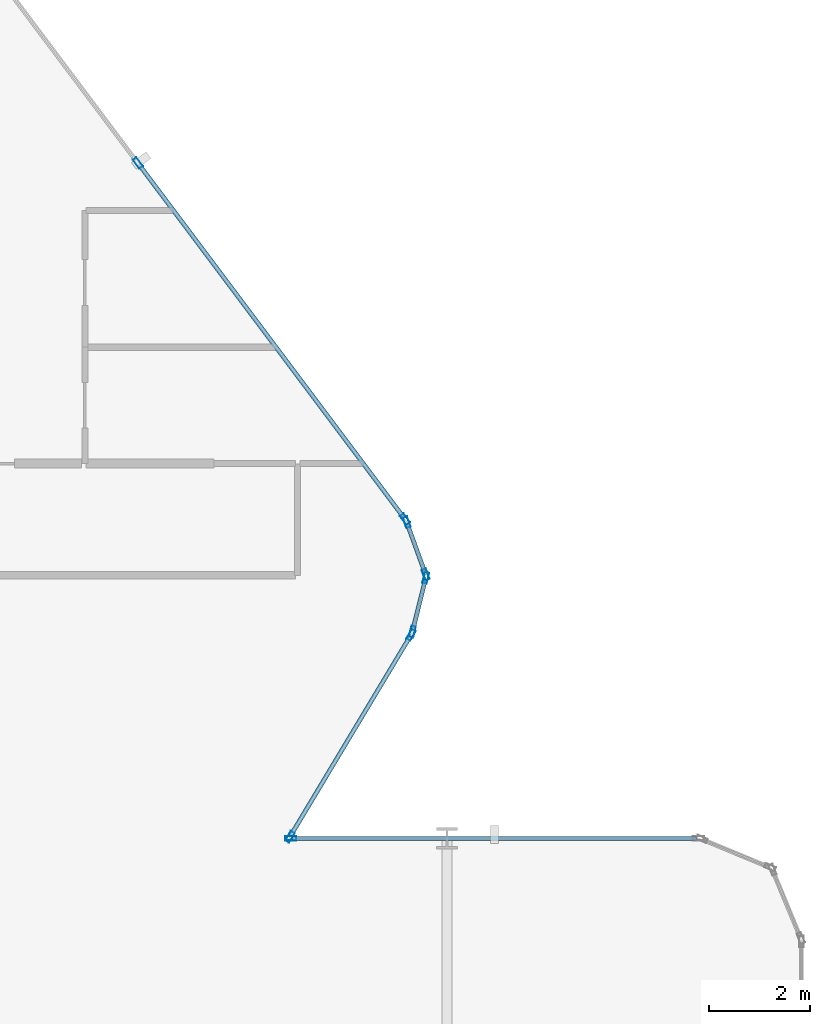
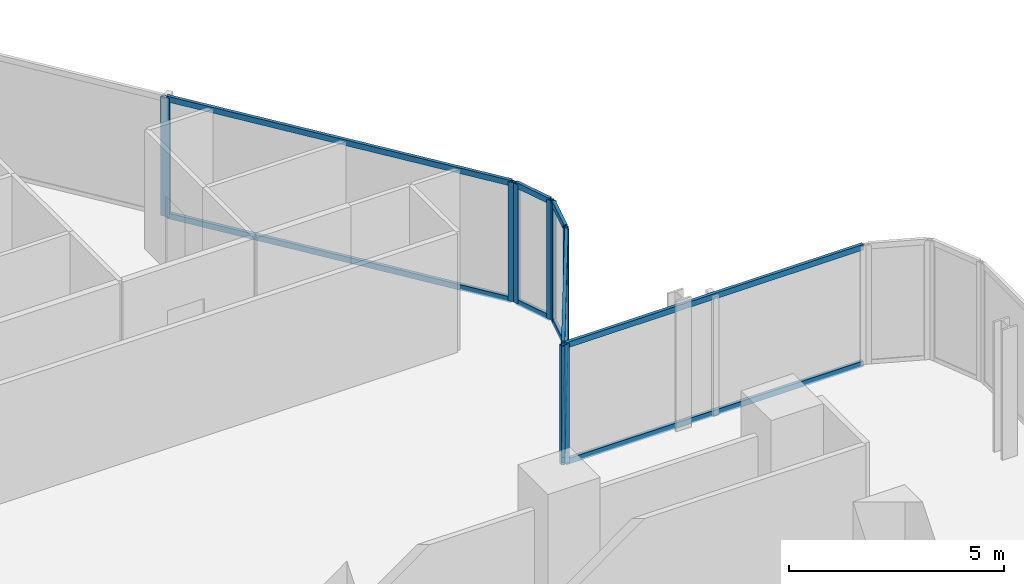
# One storey, part 15 of 34: 19 members, 5 elements without a shape of their own.
"""IFC4 building model written with IfcOpenShell, lengths in metres."""

from ifc_helpers import new_model, si_unit, direction, frame, origin, origin_2d, place, context, subcontext, project, spatial, hollow_rectangle, extrude, material, layer, layer_set, material_profile, profile_set, type_object, element, aggregate, save


model = new_model("IFC4")

# Units and contexts
model_context = context("Model", 3, precision=1e-05, world=origin(), true_north=direction((0.0, 1.0)))
body_context = subcontext(model_context, "Body", "Model", "MODEL_VIEW")
ifc_project = project(units=[si_unit("LENGTHUNIT", "METRE"), si_unit("AREAUNIT", "SQUARE_METRE"), si_unit("VOLUMEUNIT", "CUBIC_METRE"), si_unit("PLANEANGLEUNIT", "RADIAN"), si_unit("MASSUNIT", "GRAM", prefix="KILO")], contexts=[model_context])

# Site, building, storey
site_placement = place(None, origin())
site = spatial("IfcSite", under=ifc_project, at=site_placement, CompositionType="ELEMENT")
building_placement = place(site_placement, origin())
building = spatial("IfcBuilding", under=site, at=building_placement, Name="Keshet Zoharim Tower", CompositionType="ELEMENT")
storey_placement = place(building_placement, frame((0.0, 0.0, 46.199951171875)))
storey = spatial("IfcBuildingStorey", under=building, at=storey_placement, Name="L10", CompositionType="ELEMENT", Elevation=46.199951171875)

# Curtain wall, members
ifc_material = material(Name="Aluminium 6063-T6", Category="aluminium")
ifc_layer_1 = layer(ifc_material, 0.169921875)
ifc_layer_set_1 = layer_set([ifc_layer_1], Name="Aluminium 6063-T6")
curtain_wall_type_1 = type_object("IfcCurtainWallType", Name="CW-SYS-02", PredefinedType="NOTDEFINED", material=ifc_layer_set_1)
curtain_wall_1_placement = place(storey_placement, origin())
curtain_wall_1 = element("IfcCurtainWall", 1, at=curtain_wall_1_placement, inside=storey, type_object=curtain_wall_type_1, Name="L10 Unitised Curtain Wall 09", PredefinedType="NOTDEFINED")
ifc_material_profile_1 = material_profile(ifc_material, hollow_rectangle(XDim=0.090087890625, YDim=0.219970703125, WallThickness=0.0048828125, at=origin_2d()), Name="MUL-90x220")
ifc_profile_set_1 = profile_set([ifc_material_profile_1], Name="Aluminium 6063-T6")
member_type_1 = type_object("IfcMemberType", Name="CWM-M22", PredefinedType="MULLION", material=ifc_profile_set_1)
member_1_placement = place(storey_placement, frame((56.896484375, 46.0380859375, 0.0), z_axis=(0.0, 0.0, 1.0), x_axis=(0.799999999998, 0.600000000002, 0.0)))
member_1 = element("IfcMember", 2, at=member_1_placement, type_object=member_type_1, Name="CW-02 mullion 2", PredefinedType="MULLION", context=body_context, shape_type="SweptSolid", body=[
    extrude(hollow_rectangle(XDim=0.090087890625, YDim=0.219970703125, WallThickness=0.0048828125, at=origin_2d()), origin(), (0.0, 0.0, 1.0), 3.385009765625),
])
member_2_placement = place(storey_placement, frame((62.172119140625, 39.00390625, 0.0), z_axis=(0.0, 0.0, 1.0), x_axis=(0.799999999998, 0.600000000002, 0.0)))
member_2 = element("IfcMember", 3, at=member_2_placement, type_object=member_type_1, Name="CW-02 mullion 3", PredefinedType="MULLION", context=body_context, shape_type="SweptSolid", body=[
    extrude(hollow_rectangle(XDim=0.090087890625, YDim=0.219970703125, WallThickness=0.0048828125, at=origin_2d()), origin(), (0.0, 0.0, 1.0), 3.385009765625),
])

curtain_wall_2_placement = place(storey_placement, origin())
curtain_wall_2 = element("IfcCurtainWall", 4, at=curtain_wall_2_placement, inside=storey, type_object=curtain_wall_type_1, Name="L10 Unitised Curtain Wall 10", PredefinedType="NOTDEFINED")
member_3_placement = place(storey_placement, frame((62.204833984375, 38.943115234375, 0.0), z_axis=(0.0, 0.0, 1.0), x_axis=(0.940317877544, 0.340297354046, 0.0)))
member_3 = element("IfcMember", 5, at=member_3_placement, type_object=member_type_1, Name="CW-02 mullion 1", PredefinedType="MULLION", context=body_context, shape_type="SweptSolid", body=[
    extrude(hollow_rectangle(XDim=0.090087890625, YDim=0.219970703125, WallThickness=0.0048828125, at=origin_2d()), origin(), (0.0, 0.0, 1.0), 3.385009765625),
])
member_4_placement = place(storey_placement, frame((62.578125, 37.911865234375, 0.0), z_axis=(0.0, 0.0, 1.0), x_axis=(0.940317877544, 0.340297354046, 0.0)))
member_4 = element("IfcMember", 6, at=member_4_placement, type_object=member_type_1, Name="CW-02 mullion 2", PredefinedType="MULLION", context=body_context, shape_type="SweptSolid", body=[
    extrude(hollow_rectangle(XDim=0.090087890625, YDim=0.219970703125, WallThickness=0.0048828125, at=origin_2d()), origin(), (0.0, 0.0, 1.0), 3.385009765625),
])

curtain_wall_3_placement = place(storey_placement, origin())
curtain_wall_3 = element("IfcCurtainWall", 7, at=curtain_wall_3_placement, inside=storey, type_object=curtain_wall_type_1, Name="L10 Unitised Curtain Wall 11", PredefinedType="NOTDEFINED")
member_5_placement = place(storey_placement, frame((62.58154296875, 37.844970703125, 0.0), z_axis=(0.0, 0.0, 1.0), x_axis=(0.970343857447, -0.241728770141, 0.0)))
member_5 = element("IfcMember", 8, at=member_5_placement, type_object=member_type_1, Name="CW-02 mullion 1", PredefinedType="MULLION", context=body_context, shape_type="SweptSolid", body=[
    extrude(hollow_rectangle(XDim=0.090087890625, YDim=0.219970703125, WallThickness=0.0048828125, at=origin_2d()), origin(), (0.0, 0.0, 1.0), 3.385009765625),
])
member_6_placement = place(storey_placement, frame((62.31640625, 36.781005859375, 0.0), z_axis=(0.0, 0.0, 1.0), x_axis=(0.970343857447, -0.241728770141, 0.0)))
member_6 = element("IfcMember", 9, at=member_6_placement, type_object=member_type_1, Name="CW-02 mullion 2", PredefinedType="MULLION", context=body_context, shape_type="SweptSolid", body=[
    extrude(hollow_rectangle(XDim=0.090087890625, YDim=0.219970703125, WallThickness=0.0048828125, at=origin_2d()), origin(), (0.0, 0.0, 1.0), 3.385009765625),
])

ifc_layer_2 = layer(ifc_material, 0.179931640625)
ifc_layer_set_2 = layer_set([ifc_layer_2], Name="Aluminium 6063-T6")
curtain_wall_type_2 = type_object("IfcCurtainWallType", Name="CW-SYS-01", PredefinedType="NOTDEFINED", material=ifc_layer_set_2)
curtain_wall_4_placement = place(storey_placement, origin())
curtain_wall_4 = element("IfcCurtainWall", 10, at=curtain_wall_4_placement, inside=storey, type_object=curtain_wall_type_2, Name="L10 Unitised Curtain Wall 12", PredefinedType="NOTDEFINED")
member_7_placement = place(storey_placement, frame((62.2900390625, 36.717041015625, 0.0), z_axis=(0.0, 0.0, 1.0), x_axis=(0.857511621163, -0.51446459506, 0.0)))
member_7 = element("IfcMember", 11, at=member_7_placement, type_object=member_type_1, Name="CW-01 mullion 1", PredefinedType="MULLION", context=body_context, shape_type="SweptSolid", body=[
    extrude(hollow_rectangle(XDim=0.090087890625, YDim=0.219970703125, WallThickness=0.0048828125, at=origin_2d()), origin(), (0.0, 0.0, 1.0), 3.385009765625),
])
member_8_placement = place(storey_placement, frame((59.89794921875, 32.72998046875, 0.0), z_axis=(0.0, 0.0, 1.0), x_axis=(0.857511621163, -0.51446459506, 0.0)))
member_8 = element("IfcMember", 12, at=member_8_placement, type_object=member_type_1, Name="CW-01 mullion 2", PredefinedType="MULLION", context=body_context, shape_type="SweptSolid", body=[
    extrude(hollow_rectangle(XDim=0.090087890625, YDim=0.219970703125, WallThickness=0.0048828125, at=origin_2d()), origin(), (0.0, 0.0, 1.0), 3.385009765625),
])

# Curtain wall, member
curtain_wall_5_placement = place(storey_placement, origin())
curtain_wall_5 = element("IfcCurtainWall", 13, at=curtain_wall_5_placement, inside=storey, type_object=curtain_wall_type_1, Name="L10 Unitised Curtain Wall 13", PredefinedType="NOTDEFINED")
member_9_placement = place(storey_placement, frame((59.9150390625, 32.699951171875, 0.0), z_axis=(0.0, 0.0, 1.0), x_axis=(0.0, 1.0, 0.0)))
member_9 = element("IfcMember", 14, at=member_9_placement, type_object=member_type_1, Name="CW-02 mullion 1", PredefinedType="MULLION", context=body_context, shape_type="SweptSolid", body=[
    extrude(hollow_rectangle(XDim=0.090087890625, YDim=0.219970703125, WallThickness=0.0048828125, at=origin_2d()), origin(), (0.0, 0.0, 1.0), 3.385009765625),
])

# Member
ifc_material_profile_2 = material_profile(ifc_material, hollow_rectangle(XDim=0.0849609375, YDim=0.159912109375, WallThickness=0.00439453125, at=origin_2d()), Name="TRN-85x160")
ifc_profile_set_2 = profile_set([ifc_material_profile_2], Name="Aluminium 6063-T6")
member_type_2 = type_object("IfcMemberType", Name="CWT-T16", PredefinedType="USERDEFINED", material=ifc_profile_set_2)
member_10_placement = place(storey_placement, frame((56.91748046875, 46.010009765625, 0.03515625), z_axis=(0.599991043201, -0.800006717521, 0.0), x_axis=(0.800006717521, 0.599991043201, 0.0)))
member_10 = element("IfcMember", 15, at=member_10_placement, type_object=member_type_2, Name="CW-02 transom 2.1", ObjectType="TRANSOM", PredefinedType="USERDEFINED", context=body_context, shape_type="SweptSolid", body=[
    extrude(hollow_rectangle(XDim=0.0849609375, YDim=0.159912109375, WallThickness=0.00439453125, at=origin_2d()), origin(), (0.0, 0.0, 1.0), 8.722412109375),
])

member_11_placement = place(storey_placement, frame((56.91748046875, 46.010009765625, 3.35009765625), z_axis=(0.599991043201, -0.800006717521, 0.0), x_axis=(0.800006717521, 0.599991043201, 0.0)))
member_11 = element("IfcMember", 16, at=member_11_placement, type_object=member_type_2, Name="CW-02 transom 2.2", ObjectType="TRANSOM", PredefinedType="USERDEFINED", context=body_context, shape_type="SweptSolid", body=[
    extrude(hollow_rectangle(XDim=0.0849609375, YDim=0.159912109375, WallThickness=0.00439453125, at=origin_2d()), origin(), (0.0, 0.0, 1.0), 8.722412109375),
])

aggregate(curtain_wall_1, [member_1, member_2, member_10, member_11])

member_12_placement = place(storey_placement, frame((62.216796875, 38.91015625, 0.03515625), z_axis=(0.340310579984, -0.940313091024, 0.0), x_axis=(0.940313091024, 0.340310579984, 0.0)))
member_12 = element("IfcMember", 17, at=member_12_placement, type_object=member_type_2, Name="CW-02 transom 1.1", ObjectType="TRANSOM", PredefinedType="USERDEFINED", context=body_context, shape_type="SweptSolid", body=[
    extrude(hollow_rectangle(XDim=0.0849609375, YDim=0.159912109375, WallThickness=0.00439453125, at=origin_2d()), origin(), (0.0, 0.0, 1.0), 1.026611328125),
])

member_13_placement = place(storey_placement, frame((62.216796875, 38.91015625, 3.35009765625), z_axis=(0.340310579984, -0.940313091024, 0.0), x_axis=(0.940313091024, 0.340310579984, 0.0)))
member_13 = element("IfcMember", 18, at=member_13_placement, type_object=member_type_2, Name="CW-02 transom 1.2", ObjectType="TRANSOM", PredefinedType="USERDEFINED", context=body_context, shape_type="SweptSolid", body=[
    extrude(hollow_rectangle(XDim=0.0849609375, YDim=0.159912109375, WallThickness=0.00439453125, at=origin_2d()), origin(), (0.0, 0.0, 1.0), 1.026611328125),
])

aggregate(curtain_wall_2, [member_3, member_4, member_12, member_13])

member_14_placement = place(storey_placement, frame((62.572998046875, 37.81103515625, 0.03515625), z_axis=(-0.241640143717, -0.970365931463, 0.0), x_axis=(0.970365931463, -0.241640143717, 0.0)))
member_14 = element("IfcMember", 19, at=member_14_placement, type_object=member_type_2, Name="CW-02 transom 1.1", ObjectType="TRANSOM", PredefinedType="USERDEFINED", context=body_context, shape_type="SweptSolid", body=[
    extrude(hollow_rectangle(XDim=0.0849609375, YDim=0.159912109375, WallThickness=0.00439453125, at=origin_2d()), origin(), (0.0, 0.0, 1.0), 1.026611328125),
])

member_15_placement = place(storey_placement, frame((62.572998046875, 37.81103515625, 3.35009765625), z_axis=(-0.241640143717, -0.970365931463, 0.0), x_axis=(0.970365931463, -0.241640143717, 0.0)))
member_15 = element("IfcMember", 20, at=member_15_placement, type_object=member_type_2, Name="CW-02 transom 1.2", ObjectType="TRANSOM", PredefinedType="USERDEFINED", context=body_context, shape_type="SweptSolid", body=[
    extrude(hollow_rectangle(XDim=0.0849609375, YDim=0.159912109375, WallThickness=0.00439453125, at=origin_2d()), origin(), (0.0, 0.0, 1.0), 1.026611328125),
])

aggregate(curtain_wall_3, [member_5, member_6, member_14, member_15])

member_16_placement = place(storey_placement, frame((62.27197265625, 36.68701171875, 0.03515625), z_axis=(-0.514456555213, -0.857516444622, 0.0), x_axis=(0.857516444622, -0.514456555213, 0.0)))
member_16 = element("IfcMember", 21, at=member_16_placement, type_object=member_type_2, Name="CW-01 transom 1.1", ObjectType="TRANSOM", PredefinedType="USERDEFINED", context=body_context, shape_type="SweptSolid", body=[
    extrude(hollow_rectangle(XDim=0.0849609375, YDim=0.159912109375, WallThickness=0.00439453125, at=origin_2d()), origin(), (0.0, 0.0, 1.0), 4.57958984375),
])

member_17_placement = place(storey_placement, frame((62.27197265625, 36.68701171875, 3.35009765625), z_axis=(-0.514456555213, -0.857516444622, 0.0), x_axis=(0.857516444622, -0.514456555213, 0.0)))
member_17 = element("IfcMember", 22, at=member_17_placement, type_object=member_type_2, Name="CW-01 transom 1.2", ObjectType="TRANSOM", PredefinedType="USERDEFINED", context=body_context, shape_type="SweptSolid", body=[
    extrude(hollow_rectangle(XDim=0.0849609375, YDim=0.159912109375, WallThickness=0.00439453125, at=origin_2d()), origin(), (0.0, 0.0, 1.0), 4.57958984375),
])

aggregate(curtain_wall_4, [member_7, member_8, member_16, member_17])

member_18_placement = place(storey_placement, frame((59.949951171875, 32.699951171875, 0.03515625), z_axis=(1.0, 0.0, 0.0), x_axis=(0.0, 1.0, 0.0)))
member_18 = element("IfcMember", 23, at=member_18_placement, type_object=member_type_2, Name="CW-02 transom 1.1", ObjectType="TRANSOM", PredefinedType="USERDEFINED", context=body_context, shape_type="SweptSolid", body=[
    extrude(hollow_rectangle(XDim=0.0849609375, YDim=0.159912109375, WallThickness=0.00439453125, at=origin_2d()), origin(), (0.0, 0.0, 1.0), 7.97998046875),
])

member_19_placement = place(storey_placement, frame((59.949951171875, 32.699951171875, 3.35009765625), z_axis=(1.0, 0.0, 0.0), x_axis=(0.0, 1.0, 0.0)))
member_19 = element("IfcMember", 24, at=member_19_placement, type_object=member_type_2, Name="CW-02 transom 1.2", ObjectType="TRANSOM", PredefinedType="USERDEFINED", context=body_context, shape_type="SweptSolid", body=[
    extrude(hollow_rectangle(XDim=0.0849609375, YDim=0.159912109375, WallThickness=0.00439453125, at=origin_2d()), origin(), (0.0, 0.0, 1.0), 7.97998046875),
])

aggregate(curtain_wall_5, [member_9, member_18, member_19])

save(model, "model.ifc")
